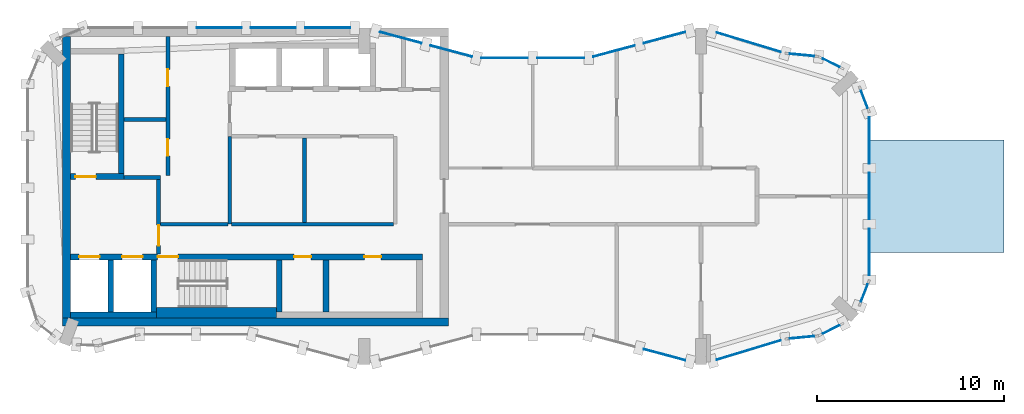
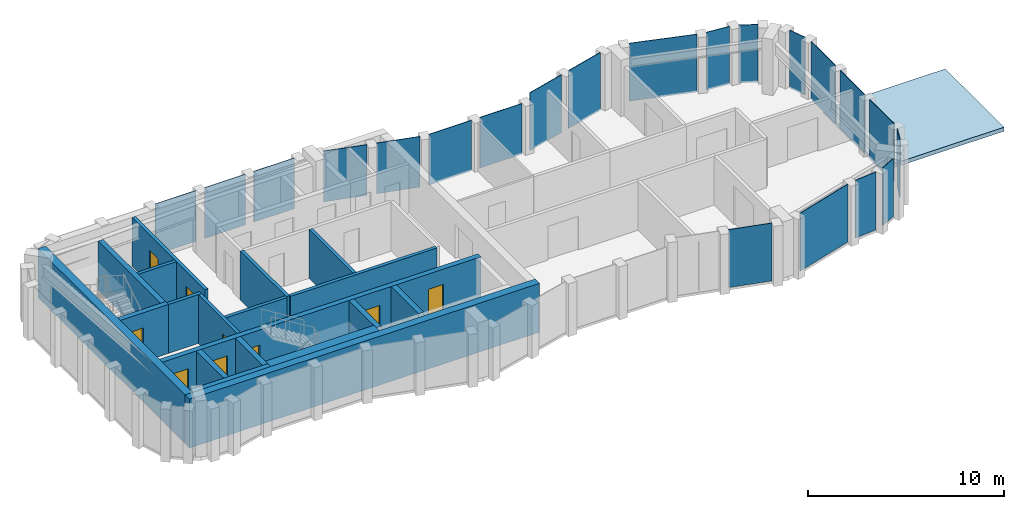
# One storey, part 3 of 6: 21 plates, 19 walls, 9 doors, 1 slab, 9 openings, 14 elements without a shape of their own.
"""IFC4 building model written with IfcOpenShell, lengths in metres."""

from ifc_helpers import new_model, si_unit, direction, frame, frame_2d, origin, origin_2d, place, context, subcontext, project, spatial, polyline, rectangle, outline, extrude, material, layer, layer_set, type_object, element, fill, aggregate, save


model = new_model("IFC4")

# Units and contexts
model_context = context("Model", 3, precision=1e-05, world=origin(), true_north=direction((0.0, 1.0)))
body_context = subcontext(model_context, "Body", "Model", "MODEL_VIEW")
ifc_project = project(units=[si_unit("LENGTHUNIT", "METRE"), si_unit("AREAUNIT", "SQUARE_METRE"), si_unit("VOLUMEUNIT", "CUBIC_METRE"), si_unit("PLANEANGLEUNIT", "RADIAN"), si_unit("MASSUNIT", "GRAM", prefix="KILO")], contexts=[model_context])

# Site, building, storey
site_placement = place(None, origin())
site = spatial("IfcSite", under=ifc_project, at=site_placement, CompositionType="ELEMENT")
building_placement = place(site_placement, origin())
building = spatial("IfcBuilding", under=site, at=building_placement, Name="Plateau Cross Towers", CompositionType="ELEMENT")
storey_placement = place(building_placement, frame((0.0, 0.0, 291.39990234375)))
storey = spatial("IfcBuildingStorey", under=building, at=storey_placement, Name="L77 Crown 1", CompositionType="ELEMENT", Elevation=291.39990234375)

# Curtain wall, plate
ifc_material_1 = material(Name="Dark low-iron glass", Category="glass")
ifc_layer_1 = layer(ifc_material_1, 0.800048828125)
ifc_layer_set_1 = layer_set([ifc_layer_1], Name="Dark low-iron glass")
curtain_wall_type = type_object("IfcCurtainWallType", Name="Curtain wall sky lounge CW-D", PredefinedType="NOTDEFINED", material=ifc_layer_set_1)
curtain_wall_1_placement = place(storey_placement, origin())
curtain_wall_1 = element("IfcCurtainWall", 1, at=curtain_wall_1_placement, inside=storey, type_object=curtain_wall_type, Name="ENV/A/L77 Crown 1/A300_16", PredefinedType="NOTDEFINED")
ifc_layer_2 = layer(ifc_material_1, 0.0400390625)
ifc_layer_set_2 = layer_set([ifc_layer_2], Name="Dark low-iron glass")
plate_type = type_object("IfcPlateType", Name="Glass panel 40 sky lounge", PredefinedType="CURTAIN_PANEL", material=ifc_layer_set_2)
plate_1_placement = place(storey_placement, frame((34.05224609375, 0.521728515625, -0.10986328125), z_axis=(0.0, 0.0, 1.0), x_axis=(0.965957983404, -0.258699003279, 0.0)))
plate_1 = element("IfcPlate", 2, at=plate_1_placement, type_object=plate_type, Name="CW-D panel 2", PredefinedType="CURTAIN_PANEL", context=body_context, shape_type="SweptSolid", body=[
    extrude(rectangle(XDim=2.296875, YDim=0.0400390625, at=origin_2d()), origin(), (0.0, 0.0, 1.0), 3.610107421875),
])
aggregate(curtain_wall_1, [plate_1])

curtain_wall_2_placement = place(storey_placement, origin())
curtain_wall_2 = element("IfcCurtainWall", 3, at=curtain_wall_2_placement, inside=storey, type_object=curtain_wall_type, Name="ENV/A/L77 Crown 1/A366_2", PredefinedType="NOTDEFINED")
plate_2_placement = place(storey_placement, frame((38.552734375, 0.7734375, -0.10986328125), z_axis=(0.0, 0.0, 1.0), x_axis=(0.957048328724, 0.289928433386, 0.0)))
plate_2 = element("IfcPlate", 4, at=plate_2_placement, type_object=plate_type, Name="CW-D panel 1", PredefinedType="CURTAIN_PANEL", context=body_context, shape_type="SweptSolid", body=[
    extrude(rectangle(XDim=3.5693359375, YDim=0.0400390625, at=origin_2d()), origin(), (0.0, 0.0, 1.0), 3.610107421875),
])
aggregate(curtain_wall_2, [plate_2])

curtain_wall_3_placement = place(storey_placement, origin())
curtain_wall_3 = element("IfcCurtainWall", 5, at=curtain_wall_3_placement, inside=storey, type_object=curtain_wall_type, Name="ENV/A/L77 Crown 1/A405_14", PredefinedType="NOTDEFINED")
plate_3_placement = place(storey_placement, frame((41.39501953125, 1.4501953125, -0.10986328125), z_axis=(0.0, 0.0, 1.0), x_axis=(0.995322680406, 0.096606220658, 0.0)))
plate_3 = element("IfcPlate", 6, at=plate_3_placement, type_object=plate_type, Name="CW-D panel 1", PredefinedType="CURTAIN_PANEL", context=body_context, shape_type="SweptSolid", body=[
    extrude(rectangle(XDim=1.29833984375, YDim=0.0400390625, at=origin_2d()), origin(), (0.0, 0.0, 1.0), 3.610107421875),
])
aggregate(curtain_wall_3, [plate_3])

curtain_wall_4_placement = place(storey_placement, origin())
curtain_wall_4 = element("IfcCurtainWall", 7, at=curtain_wall_4_placement, inside=storey, type_object=curtain_wall_type, Name="ENV/A/L77 Crown 1/A423_15", PredefinedType="NOTDEFINED")
plate_4_placement = place(storey_placement, frame((42.956787109375, 1.871826171875, -0.10986328125), z_axis=(0.0, 0.0, 1.0), x_axis=(0.893702121293, 0.448660805505, 0.0)))
plate_4 = element("IfcPlate", 8, at=plate_4_placement, type_object=plate_type, Name="CW-D panel 1", PredefinedType="CURTAIN_PANEL", context=body_context, shape_type="SweptSolid", body=[
    extrude(rectangle(XDim=0.992431640625, YDim=0.0400390625, at=origin_2d()), origin(), (0.0, 0.0, 1.0), 3.610107421875),
])
aggregate(curtain_wall_4, [plate_4])

curtain_wall_5_placement = place(storey_placement, origin())
curtain_wall_5 = element("IfcCurtainWall", 9, at=curtain_wall_5_placement, inside=storey, type_object=curtain_wall_type, Name="ENV/A/L77 Crown 1/A445_31", PredefinedType="NOTDEFINED")
plate_5_placement = place(storey_placement, frame((44.731201171875, 3.82666015625, -0.10986328125), z_axis=(0.0, 0.0, 1.0), x_axis=(0.360225826244, 0.932865131789, 0.0)))
plate_5 = element("IfcPlate", 10, at=plate_5_placement, type_object=plate_type, Name="CW-D panel 1", PredefinedType="CURTAIN_PANEL", context=body_context, shape_type="SweptSolid", body=[
    extrude(rectangle(XDim=0.992431640625, YDim=0.0400390625, at=origin_2d()), origin(), (0.0, 0.0, 1.0), 3.610107421875),
])
aggregate(curtain_wall_5, [plate_5])

# Curtain wall, plates
curtain_wall_6_placement = place(storey_placement, origin())
curtain_wall_6 = element("IfcCurtainWall", 11, at=curtain_wall_6_placement, inside=storey, type_object=curtain_wall_type, Name="ENV/A/L77 Crown 1/A450_45", PredefinedType="NOTDEFINED")
plate_6_placement = place(storey_placement, frame((45.0, 6.015380859375, -0.10986328125), z_axis=(0.0, 0.0, 1.0), x_axis=(0.0, 1.0, 0.0)))
plate_6 = element("IfcPlate", 12, at=plate_6_placement, type_object=plate_type, Name="CW-D panel 1", PredefinedType="CURTAIN_PANEL", context=body_context, shape_type="SweptSolid", body=[
    extrude(rectangle(XDim=2.484619140625, YDim=0.0400390625, at=origin_2d()), origin(), (0.0, 0.0, 1.0), 3.610107421875),
])
plate_7_placement = place(storey_placement, frame((45.0, 9.0, -0.10986328125), z_axis=(0.0, 0.0, 1.0), x_axis=(0.0, 1.0, 0.0)))
plate_7 = element("IfcPlate", 13, at=plate_7_placement, type_object=plate_type, Name="CW-D panel 2", PredefinedType="CURTAIN_PANEL", context=body_context, shape_type="SweptSolid", body=[
    extrude(rectangle(XDim=2.484619140625, YDim=0.0400390625, at=origin_2d()), origin(), (0.0, 0.0, 1.0), 3.610107421875),
])
plate_8_placement = place(storey_placement, frame((45.0, 11.984619140625, -0.10986328125), z_axis=(0.0, 0.0, 1.0), x_axis=(0.0, 1.0, 0.0)))
plate_8 = element("IfcPlate", 14, at=plate_8_placement, type_object=plate_type, Name="CW-D panel 3", PredefinedType="CURTAIN_PANEL", context=body_context, shape_type="SweptSolid", body=[
    extrude(rectangle(XDim=2.484619140625, YDim=0.0400390625, at=origin_2d()), origin(), (0.0, 0.0, 1.0), 3.610107421875),
])
aggregate(curtain_wall_6, [plate_6, plate_7, plate_8])

# Curtain wall, plate
curtain_wall_7_placement = place(storey_placement, origin())
curtain_wall_7 = element("IfcCurtainWall", 15, at=curtain_wall_7_placement, inside=storey, type_object=curtain_wall_type, Name="ENV/A/L77 Crown 1/A450_135", PredefinedType="NOTDEFINED")
plate_9_placement = place(storey_placement, frame((44.731201171875, 14.17333984375, -0.10986328125), z_axis=(0.0, 0.0, 1.0), x_axis=(-0.360225826244, 0.932865131789, 0.0)))
plate_9 = element("IfcPlate", 16, at=plate_9_placement, type_object=plate_type, Name="CW-D panel 1", PredefinedType="CURTAIN_PANEL", context=body_context, shape_type="SweptSolid", body=[
    extrude(rectangle(XDim=0.992431640625, YDim=0.0400390625, at=origin_2d()), origin(), (0.0, 0.0, 1.0), 3.610107421875),
])
aggregate(curtain_wall_7, [plate_9])

curtain_wall_8_placement = place(storey_placement, origin())
curtain_wall_8 = element("IfcCurtainWall", 17, at=curtain_wall_8_placement, inside=storey, type_object=curtain_wall_type, Name="ENV/A/L77 Crown 1/A436_158", PredefinedType="NOTDEFINED")
plate_10_placement = place(storey_placement, frame((42.956787109375, 16.128173828125, -0.10986328125), z_axis=(0.0, 0.0, 1.0), x_axis=(-0.893702121293, 0.448660805505, 0.0)))
plate_10 = element("IfcPlate", 18, at=plate_10_placement, type_object=plate_type, Name="CW-D panel 1", PredefinedType="CURTAIN_PANEL", context=body_context, shape_type="SweptSolid", body=[
    extrude(rectangle(XDim=0.992431640625, YDim=0.0400390625, at=origin_2d()), origin(), (0.0, 0.0, 1.0), 3.610107421875),
])
aggregate(curtain_wall_8, [plate_10])

curtain_wall_9_placement = place(storey_placement, origin())
curtain_wall_9 = element("IfcCurtainWall", 19, at=curtain_wall_9_placement, inside=storey, type_object=curtain_wall_type, Name="ENV/A/L77 Crown 1/A423_165", PredefinedType="NOTDEFINED")
plate_11_placement = place(storey_placement, frame((41.39501953125, 16.5498046875, -0.10986328125), z_axis=(0.0, 0.0, 1.0), x_axis=(-0.995322680406, 0.096606220658, 0.0)))
plate_11 = element("IfcPlate", 20, at=plate_11_placement, type_object=plate_type, Name="CW-D panel 1", PredefinedType="CURTAIN_PANEL", context=body_context, shape_type="SweptSolid", body=[
    extrude(rectangle(XDim=1.29833984375, YDim=0.0400390625, at=origin_2d()), origin(), (0.0, 0.0, 1.0), 3.610107421875),
])
aggregate(curtain_wall_9, [plate_11])

curtain_wall_10_placement = place(storey_placement, origin())
curtain_wall_10 = element("IfcCurtainWall", 21, at=curtain_wall_10_placement, inside=storey, type_object=curtain_wall_type, Name="ENV/A/L77 Crown 1/A405_166", PredefinedType="NOTDEFINED")
plate_12_placement = place(storey_placement, frame((38.552734375, 17.2265625, -0.10986328125), z_axis=(0.0, 0.0, 1.0), x_axis=(-0.957048328724, 0.289928433386, 0.0)))
plate_12 = element("IfcPlate", 22, at=plate_12_placement, type_object=plate_type, Name="CW-D panel 1", PredefinedType="CURTAIN_PANEL", context=body_context, shape_type="SweptSolid", body=[
    extrude(rectangle(XDim=3.5693359375, YDim=0.0400390625, at=origin_2d()), origin(), (0.0, 0.0, 1.0), 3.610107421875),
])
aggregate(curtain_wall_10, [plate_12])

# Curtain wall, plates
curtain_wall_11_placement = place(storey_placement, origin())
curtain_wall_11 = element("IfcCurtainWall", 23, at=curtain_wall_11_placement, inside=storey, type_object=curtain_wall_type, Name="ENV/A/L77 Crown 1/A354_178", PredefinedType="NOTDEFINED")
plate_13_placement = place(storey_placement, frame((34.05224609375, 17.478271484375, -0.10986328125), z_axis=(0.0, 0.0, 1.0), x_axis=(-0.965957983404, -0.258699003279, 0.0)))
plate_13 = element("IfcPlate", 24, at=plate_13_placement, type_object=plate_type, Name="CW-D panel 1", PredefinedType="CURTAIN_PANEL", context=body_context, shape_type="SweptSolid", body=[
    extrude(rectangle(XDim=2.296875, YDim=0.0400390625, at=origin_2d()), origin(), (0.0, 0.0, 1.0), 3.610107421875),
])
plate_14_placement = place(storey_placement, frame((31.350830078125, 16.7548828125, -0.10986328125), z_axis=(0.0, 0.0, 1.0), x_axis=(-0.965957983404, -0.258699003279, 0.0)))
plate_14 = element("IfcPlate", 25, at=plate_14_placement, type_object=plate_type, Name="CW-D panel 2", PredefinedType="CURTAIN_PANEL", context=body_context, shape_type="SweptSolid", body=[
    extrude(rectangle(XDim=2.296875, YDim=0.0400390625, at=origin_2d()), origin(), (0.0, 0.0, 1.0), 3.610107421875),
])
aggregate(curtain_wall_11, [plate_13, plate_14])

curtain_wall_12_placement = place(storey_placement, origin())
curtain_wall_12 = element("IfcCurtainWall", 26, at=curtain_wall_12_placement, inside=storey, type_object=curtain_wall_type, Name="ENV/A/L77 Crown 1/A300_164", PredefinedType="NOTDEFINED")
plate_15_placement = place(storey_placement, frame((28.5, 16.39306640625, -0.10986328125), z_axis=(0.0, 0.0, 1.0), x_axis=(-1.0, 0.0, 0.0)))
plate_15 = element("IfcPlate", 27, at=plate_15_placement, type_object=plate_type, Name="CW-D panel 1", PredefinedType="CURTAIN_PANEL", context=body_context, shape_type="SweptSolid", body=[
    extrude(rectangle(XDim=2.5, YDim=0.0400390625, at=origin_2d()), origin(), (0.0, 0.0, 1.0), 3.159912109375),
])
plate_16_placement = place(storey_placement, frame((25.5, 16.39306640625, -0.10986328125), z_axis=(0.0, 0.0, 1.0), x_axis=(-1.0, 0.0, 0.0)))
plate_16 = element("IfcPlate", 28, at=plate_16_placement, type_object=plate_type, Name="CW-D panel 2", PredefinedType="CURTAIN_PANEL", context=body_context, shape_type="SweptSolid", body=[
    extrude(rectangle(XDim=2.5, YDim=0.0400390625, at=origin_2d()), origin(), (0.0, 0.0, 1.0), 3.159912109375),
])
aggregate(curtain_wall_12, [plate_15, plate_16])

curtain_wall_13_placement = place(storey_placement, origin())
curtain_wall_13 = element("IfcCurtainWall", 29, at=curtain_wall_13_placement, inside=storey, type_object=curtain_wall_type, Name="ENV/A/L77 Crown 1/A240_164", PredefinedType="NOTDEFINED")
plate_17_placement = place(storey_placement, frame((22.649169921875, 16.7548828125, -0.10986328125), z_axis=(0.0, 0.0, 1.0), x_axis=(-0.965957983404, 0.258699003279, 0.0)))
plate_17 = element("IfcPlate", 30, at=plate_17_placement, type_object=plate_type, Name="CW-D panel 1", PredefinedType="CURTAIN_PANEL", context=body_context, shape_type="SweptSolid", body=[
    extrude(rectangle(XDim=2.296875, YDim=0.0400390625, at=origin_2d()), origin(), (0.0, 0.0, 1.0), 3.159912109375),
])
plate_18_placement = place(storey_placement, frame((19.94775390625, 17.478271484375, -0.10986328125), z_axis=(0.0, 0.0, 1.0), x_axis=(-0.965957983404, 0.258699003279, 0.0)))
plate_18 = element("IfcPlate", 31, at=plate_18_placement, type_object=plate_type, Name="CW-D panel 2", PredefinedType="CURTAIN_PANEL", context=body_context, shape_type="SweptSolid", body=[
    extrude(rectangle(XDim=2.296875, YDim=0.0400390625, at=origin_2d()), origin(), (0.0, 0.0, 1.0), 3.159912109375),
])
aggregate(curtain_wall_13, [plate_17, plate_18])

curtain_wall_14_placement = place(storey_placement, origin())
curtain_wall_14 = element("IfcCurtainWall", 32, at=curtain_wall_14_placement, inside=storey, type_object=curtain_wall_type, Name="ENV/A/L77 Crown 1/A175_180", PredefinedType="NOTDEFINED")
plate_19_placement = place(storey_placement, frame((16.03662109375, 18.0, -0.10986328125), z_axis=(0.0, 0.0, 1.0), x_axis=(-1.0, 0.0, 0.0)))
plate_19 = element("IfcPlate", 33, at=plate_19_placement, type_object=plate_type, Name="CW-D panel 1", PredefinedType="CURTAIN_PANEL", context=body_context, shape_type="SweptSolid", body=[
    extrude(rectangle(XDim=2.39697265625, YDim=0.0400390625, at=origin_2d()), origin(), (0.0, 0.0, 1.0), 3.159912109375),
])
plate_20_placement = place(storey_placement, frame((13.139404296875, 18.0, -0.10986328125), z_axis=(0.0, 0.0, 1.0), x_axis=(-1.0, 0.0, 0.0)))
plate_20 = element("IfcPlate", 34, at=plate_20_placement, type_object=plate_type, Name="CW-D panel 2", PredefinedType="CURTAIN_PANEL", context=body_context, shape_type="SweptSolid", body=[
    extrude(rectangle(XDim=2.39697265625, YDim=0.0400390625, at=origin_2d()), origin(), (0.0, 0.0, 1.0), 3.159912109375),
])
plate_21_placement = place(storey_placement, frame((10.242431640625, 18.0, -0.10986328125), z_axis=(0.0, 0.0, 1.0), x_axis=(-1.0, 0.0, 0.0)))
plate_21 = element("IfcPlate", 35, at=plate_21_placement, type_object=plate_type, Name="CW-D panel 3", PredefinedType="CURTAIN_PANEL", context=body_context, shape_type="SweptSolid", body=[
    extrude(rectangle(XDim=2.39697265625, YDim=0.0400390625, at=origin_2d()), origin(), (0.0, 0.0, 1.0), 3.159912109375),
])
aggregate(curtain_wall_14, [plate_19, plate_20, plate_21])

# Slab
ifc_material_2 = material(Name="Concrete C40/50", Category="concrete")
ifc_layer_3 = layer(ifc_material_2, 0.25)
ifc_layer_set_3 = layer_set([ifc_layer_3], Name="Concrete C40/50")
slab_type = type_object("IfcSlabType", Name="Post-tensioned roof slab 250", PredefinedType="ROOF", material=ifc_layer_set_3)
slab_placement = place(storey_placement, frame((0.0, 0.0, -0.25)))
element("IfcSlab", 36, at=slab_placement, inside=storey, type_object=slab_type, Name="SL-A-end-E-roof", PredefinedType="ROOF", context=body_context, shape_type="SweptSolid", body=[
    extrude(outline(polyline([(52.199951171875, 6.0), (45.0, 6.0), (45.0, 12.0), (52.199951171875, 12.0), (52.199951171875, 6.0)])), origin(), (0.0, 0.0, 1.0), 0.25),
])

# Wall, opening, door
ifc_material_3 = material(Name="Concrete block, plastered both sides", Category="concrete")
ifc_layer_4 = layer(ifc_material_3, 0.199951171875)
ifc_layer_set_4 = layer_set([ifc_layer_4], Name="Concrete block, plastered both sides")
wall_type_1 = type_object("IfcWallType", Name="Core partition 200", PredefinedType="PARTITIONING", material=ifc_layer_set_4)
wall_1_placement = place(storey_placement, frame((7.0, 5.89990234375, 0.0), z_axis=(0.0, 0.0, 1.0), x_axis=(0.0, 1.0, 0.0)))
wall_1 = element("IfcWall", 37, at=wall_1_placement, inside=storey, type_object=wall_type_1, Name="Core partition", PredefinedType="PARTITIONING", context=body_context, shape_type="SweptSolid", body=[
    extrude(rectangle(XDim=4.0, YDim=0.199951171875, at=frame_2d((2.0, 0.0))), origin(), (0.0, 0.0, 1.0), 3.050048828125),
])
opening_1_placement = place(wall_1_placement, frame((0.449951171875, 0.0, 0.0)))
opening_1 = element("IfcOpeningElement", 38, at=opening_1_placement, cuts=wall_1, Name="Opening FFD", PredefinedType="OPENING", context=body_context, shape_type="SweptSolid", body=[
    extrude(rectangle(XDim=1.10009765625, YDim=2.10009765625, at=frame_2d((0.550048828125, 1.050048828125))), frame((0.0, 0.10986328125, 0.0), z_axis=(0.0, -1.0, 0.0), x_axis=(1.0, 0.0, 0.0)), (0.0, 0.0, 1.0), 0.219970703125),
])
ifc_material_4 = material(Name="Steel, fire-resisting leaf", Category="steel")
door_type_1 = type_object("IfcDoorType", Name="Firefighting lobby door 1100", OperationType="NOTDEFINED", PredefinedType="DOOR", material=ifc_material_4)
door_1_placement = place(opening_1_placement, origin())
door_1 = element("IfcDoor", 39, at=door_1_placement, inside=storey, type_object=door_type_1, Name="Firefighting lobby door FFD", OperationType="SINGLE_SWING_LEFT", OverallHeight=2.10009765625, OverallWidth=1.10009765625, PredefinedType="DOOR", context=body_context, shape_type="SweptSolid", body=[
    extrude(rectangle(XDim=1.10009765625, YDim=2.10009765625, at=frame_2d((0.550048828125, 1.050048828125))), frame((0.0, 0.02490234375, 0.0), z_axis=(0.0, -1.0, 0.0), x_axis=(1.0, 0.0, 0.0)), (0.0, 0.0, 1.0), 0.050048828125),
])
fill(opening_1, door_1)

# Walls
wall_2_placement = place(storey_placement, frame((5.14990234375, 10.0, 0.0), z_axis=(0.0, 0.0, 1.0), x_axis=(1.0, 0.0, 0.0)))
element("IfcWall", 40, at=wall_2_placement, inside=storey, type_object=wall_type_1, Name="Core partition", PredefinedType="PARTITIONING", context=body_context, shape_type="SweptSolid", body=[
    extrude(rectangle(XDim=1.9501953125, YDim=0.199951171875, at=frame_2d((0.97509765625, 0.0))), origin(), (0.0, 0.0, 1.0), 3.050048828125),
])
wall_3_placement = place(storey_placement, frame((7.10009765625, 7.5, 0.0), z_axis=(0.0, 0.0, 1.0), x_axis=(1.0, 0.0, 0.0)))
element("IfcWall", 41, at=wall_3_placement, inside=storey, type_object=wall_type_1, Name="Core partition", PredefinedType="PARTITIONING", context=body_context, shape_type="SweptSolid", body=[
    extrude(rectangle(XDim=3.599853515625, YDim=0.199951171875, at=frame_2d((1.7998046875, 0.0))), origin(), (0.0, 0.0, 1.0), 3.050048828125),
])
wall_4_placement = place(storey_placement, frame((10.800048828125, 7.5, 0.0), z_axis=(0.0, 0.0, 1.0), x_axis=(0.0, 1.0, 0.0)))
element("IfcWall", 42, at=wall_4_placement, inside=storey, type_object=wall_type_1, Name="Core partition", PredefinedType="PARTITIONING", context=body_context, shape_type="SweptSolid", body=[
    extrude(rectangle(XDim=4.699951171875, YDim=0.199951171875, at=frame_2d((2.35009765625, 0.0))), origin(), (0.0, 0.0, 1.0), 3.050048828125),
])
wall_5_placement = place(storey_placement, frame((10.89990234375, 7.5, 0.0), z_axis=(0.0, 0.0, 1.0), x_axis=(1.0, 0.0, 0.0)))
element("IfcWall", 43, at=wall_5_placement, inside=storey, type_object=wall_type_1, Name="Core partition", PredefinedType="PARTITIONING", context=body_context, shape_type="SweptSolid", body=[
    extrude(rectangle(XDim=8.650146484375, YDim=0.199951171875, at=frame_2d((4.3251953125, 0.0))), origin(), (0.0, 0.0, 1.0), 3.050048828125),
])
wall_6_placement = place(storey_placement, frame((14.800048828125, 7.60009765625, 0.0), z_axis=(0.0, 0.0, 1.0), x_axis=(0.0, 1.0, 0.0)))
element("IfcWall", 44, at=wall_6_placement, inside=storey, type_object=wall_type_1, Name="Core partition", PredefinedType="PARTITIONING", context=body_context, shape_type="SweptSolid", body=[
    extrude(rectangle(XDim=4.5, YDim=0.199951171875, at=frame_2d((2.25, 0.0))), origin(), (0.0, 0.0, 1.0), 3.050048828125),
])

# Wall, openings, doors
wall_7_placement = place(storey_placement, frame((7.5, 10.10009765625, 0.0), z_axis=(0.0, 0.0, 1.0), x_axis=(0.0, 1.0, 0.0)))
wall_7 = element("IfcWall", 45, at=wall_7_placement, inside=storey, type_object=wall_type_1, Name="Core partition", PredefinedType="PARTITIONING", context=body_context, shape_type="SweptSolid", body=[
    extrude(rectangle(XDim=7.449951171875, YDim=0.199951171875, at=frame_2d((3.72509765625, 0.0))), origin(), (0.0, 0.0, 1.0), 3.050048828125),
])
opening_2_placement = place(wall_7_placement, frame((1.050048828125, 0.0, 0.0)))
opening_2 = element("IfcOpeningElement", 46, at=opening_2_placement, cuts=wall_7, Name="Opening RD1", PredefinedType="OPENING", context=body_context, shape_type="SweptSolid", body=[
    extrude(rectangle(XDim=0.89990234375, YDim=2.10009765625, at=frame_2d((0.449951171875, 1.050048828125))), frame((0.0, 0.10986328125, 0.0), z_axis=(0.0, -1.0, 0.0), x_axis=(1.0, 0.0, 0.0)), (0.0, 0.0, 1.0), 0.219970703125),
])
opening_3_placement = place(wall_7_placement, frame((4.77490234375, 0.0, 0.0)))
opening_3 = element("IfcOpeningElement", 47, at=opening_3_placement, cuts=wall_7, Name="Opening RD1", PredefinedType="OPENING", context=body_context, shape_type="SweptSolid", body=[
    extrude(rectangle(XDim=0.89990234375, YDim=2.10009765625, at=frame_2d((0.449951171875, 1.050048828125))), frame((0.0, 0.10986328125, 0.0), z_axis=(0.0, -1.0, 0.0), x_axis=(1.0, 0.0, 0.0)), (0.0, 0.0, 1.0), 0.219970703125),
])
ifc_material_5 = material(Name="Timber, fire-resisting leaf", Category="wood")
door_type_2 = type_object("IfcDoorType", Name="Core service door 900", OperationType="NOTDEFINED", PredefinedType="DOOR", material=ifc_material_5)
door_2_placement = place(opening_2_placement, origin())
door_2 = element("IfcDoor", 48, at=door_2_placement, inside=storey, type_object=door_type_2, Name="Core service door RD1", OperationType="SINGLE_SWING_RIGHT", OverallHeight=2.10009765625, OverallWidth=0.89990234375, PredefinedType="DOOR", context=body_context, shape_type="SweptSolid", body=[
    extrude(rectangle(XDim=0.89990234375, YDim=2.10009765625, at=frame_2d((0.449951171875, 1.050048828125))), frame((0.0, 0.02490234375, 0.0), z_axis=(0.0, -1.0, 0.0), x_axis=(1.0, 0.0, 0.0)), (0.0, 0.0, 1.0), 0.050048828125),
])
fill(opening_2, door_2)
door_3_placement = place(opening_3_placement, origin())
door_3 = element("IfcDoor", 49, at=door_3_placement, inside=storey, type_object=door_type_2, Name="Core service door RD1", OperationType="SINGLE_SWING_RIGHT", OverallHeight=2.10009765625, OverallWidth=0.89990234375, PredefinedType="DOOR", context=body_context, shape_type="SweptSolid", body=[
    extrude(rectangle(XDim=0.89990234375, YDim=2.10009765625, at=frame_2d((0.449951171875, 1.050048828125))), frame((0.0, 0.02490234375, 0.0), z_axis=(0.0, -1.0, 0.0), x_axis=(1.0, 0.0, 0.0)), (0.0, 0.0, 1.0), 0.050048828125),
])
fill(opening_3, door_3)

# Walls
wall_8_placement = place(storey_placement, frame((5.14990234375, 13.10009765625, 0.0), z_axis=(0.0, 0.0, 1.0), x_axis=(1.0, 0.0, 0.0)))
element("IfcWall", 50, at=wall_8_placement, inside=storey, type_object=wall_type_1, Name="Core partition", PredefinedType="PARTITIONING", context=body_context, shape_type="SweptSolid", body=[
    extrude(rectangle(XDim=2.25, YDim=0.199951171875, at=frame_2d((1.125, 0.0))), origin(), (0.0, 0.0, 1.0), 3.050048828125),
])
ifc_material_6 = material(Name="Concrete C60/75", Category="concrete")
ifc_layer_5 = layer(ifc_material_6, 0.300048828125)
ifc_layer_set_5 = layer_set([ifc_layer_5], Name="Concrete C60/75")
wall_type_2 = type_object("IfcWallType", Name="Core shaft wall 300", PredefinedType="SHEAR", material=ifc_layer_set_5)
wall_9_placement = place(storey_placement, frame((2.300048828125, 2.64990234375, 0.0), z_axis=(0.0, 0.0, 1.0), x_axis=(1.0, 0.0, 0.0)))
element("IfcWall", 51, at=wall_9_placement, inside=storey, type_object=wall_type_2, Name="A-sb-back1@L77 Crown 1", PredefinedType="SHEAR", context=body_context, shape_type="SweptSolid", body=[
    extrude(rectangle(XDim=4.599853515625, YDim=0.300048828125, at=frame_2d((2.2998046875, 0.0))), origin(), (0.0, 0.0, 1.0), 3.050048828125),
])
for number, where, z_axis, x_axis, name in (
    (52, (4.449951171875, 2.800048828125, 0.0), (0.0, 0.0, 1.0), (0.0, 1.0, 0.0), "A-sb-v1@L77 Crown 1"),
    (53, (6.75, 2.800048828125, 0.0), (0.0, 0.0, 1.0), (0.0, 1.0, 0.0), "A-sb-v2@L77 Crown 1"),
    (54, (13.449951171875, 2.800048828125, 0.0), (0.0, 0.0, 1.0), (0.0, 1.0, 0.0), "A-sb-v3@L77 Crown 1"),
    (55, (15.949951171875, 2.800048828125, 0.0), (0.0, 0.0, 1.0), (0.0, 1.0, 0.0), "A-sb-v4@L77 Crown 1"),
):
    element("IfcWall", number, at=place(storey_placement, frame(where, z_axis=z_axis, x_axis=x_axis)), inside=storey, type_object=wall_type_2, Name=name, PredefinedType="SHEAR", context=body_context, shape_type="SweptSolid", body=[
        extrude(rectangle(XDim=2.800048828125, YDim=0.300048828125, at=frame_2d((1.39990234375, 0.0))), origin(), (0.0, 0.0, 1.0), 3.050048828125),
    ])

# Wall, openings, doors
wall_10_placement = place(storey_placement, frame((2.300048828125, 5.75, 0.0), z_axis=(0.0, 0.0, 1.0), x_axis=(1.0, 0.0, 0.0)))
wall_10 = element("IfcWall", 56, at=wall_10_placement, inside=storey, type_object=wall_type_2, Name="A-sb-front@L77 Crown 1", PredefinedType="SHEAR", context=body_context, shape_type="SweptSolid", body=[
    extrude(rectangle(XDim=18.800048828125, YDim=0.300048828125, at=frame_2d((9.39990234375, 0.0))), origin(), (0.0, 0.0, 1.0), 3.050048828125),
])
opening_4_placement = place(wall_10_placement, frame((4.64990234375, 0.0, 0.0)))
opening_4 = element("IfcOpeningElement", 57, at=opening_4_placement, cuts=wall_10, Name="Opening SD", PredefinedType="OPENING", context=body_context, shape_type="SweptSolid", body=[
    extrude(rectangle(XDim=1.10009765625, YDim=2.10009765625, at=frame_2d((0.550048828125, 1.050048828125))), frame((0.0, 0.159912109375, 0.0), z_axis=(0.0, -1.0, 0.0), x_axis=(1.0, 0.0, 0.0)), (0.0, 0.0, 1.0), 0.320068359375),
])
opening_5_placement = place(wall_10_placement, frame((0.449951171875, 0.0, 0.0)))
opening_5 = element("IfcOpeningElement", 58, at=opening_5_placement, cuts=wall_10, Name="Opening LD", PredefinedType="OPENING", context=body_context, shape_type="SweptSolid", body=[
    extrude(rectangle(XDim=1.10009765625, YDim=2.10009765625, at=frame_2d((0.550048828125, 1.050048828125))), frame((0.0, 0.159912109375, 0.0), z_axis=(0.0, -1.0, 0.0), x_axis=(1.0, 0.0, 0.0)), (0.0, 0.0, 1.0), 0.320068359375),
])
opening_6_placement = place(wall_10_placement, frame((2.75, 0.0, 0.0)))
opening_6 = element("IfcOpeningElement", 59, at=opening_6_placement, cuts=wall_10, Name="Opening LD", PredefinedType="OPENING", context=body_context, shape_type="SweptSolid", body=[
    extrude(rectangle(XDim=1.10009765625, YDim=2.10009765625, at=frame_2d((0.550048828125, 1.050048828125))), frame((0.0, 0.159912109375, 0.0), z_axis=(0.0, -1.0, 0.0), x_axis=(1.0, 0.0, 0.0)), (0.0, 0.0, 1.0), 0.320068359375),
])
opening_7_placement = place(wall_10_placement, frame((11.949951171875, 0.0, 0.0)))
opening_7 = element("IfcOpeningElement", 60, at=opening_7_placement, cuts=wall_10, Name="Opening RD2", PredefinedType="OPENING", context=body_context, shape_type="SweptSolid", body=[
    extrude(rectangle(XDim=0.89990234375, YDim=2.10009765625, at=frame_2d((0.449951171875, 1.050048828125))), frame((0.0, 0.159912109375, 0.0), z_axis=(0.0, -1.0, 0.0), x_axis=(1.0, 0.0, 0.0)), (0.0, 0.0, 1.0), 0.320068359375),
])
opening_8_placement = place(wall_10_placement, frame((15.699951171875, 0.0, 0.0)))
opening_8 = element("IfcOpeningElement", 61, at=opening_8_placement, cuts=wall_10, Name="Opening RD2", PredefinedType="OPENING", context=body_context, shape_type="SweptSolid", body=[
    extrude(rectangle(XDim=0.89990234375, YDim=2.10009765625, at=frame_2d((0.449951171875, 1.050048828125))), frame((0.0, 0.159912109375, 0.0), z_axis=(0.0, -1.0, 0.0), x_axis=(1.0, 0.0, 0.0)), (0.0, 0.0, 1.0), 0.320068359375),
])
door_type_3 = type_object("IfcDoorType", Name="Core riser door 900", OperationType="NOTDEFINED", PredefinedType="DOOR", material=ifc_material_4)
door_4_placement = place(opening_7_placement, origin())
door_4 = element("IfcDoor", 62, at=door_4_placement, inside=storey, type_object=door_type_3, Name="Core riser door RD2", OperationType="SINGLE_SWING_LEFT", OverallHeight=2.10009765625, OverallWidth=0.89990234375, PredefinedType="DOOR", context=body_context, shape_type="SweptSolid", body=[
    extrude(rectangle(XDim=0.89990234375, YDim=2.10009765625, at=frame_2d((0.449951171875, 1.050048828125))), frame((0.0, 0.02490234375, 0.0), z_axis=(0.0, -1.0, 0.0), x_axis=(1.0, 0.0, 0.0)), (0.0, 0.0, 1.0), 0.050048828125),
])
fill(opening_7, door_4)
door_5_placement = place(opening_8_placement, origin())
door_5 = element("IfcDoor", 63, at=door_5_placement, inside=storey, type_object=door_type_3, Name="Core riser door RD2", OperationType="SINGLE_SWING_LEFT", OverallHeight=2.10009765625, OverallWidth=0.89990234375, PredefinedType="DOOR", context=body_context, shape_type="SweptSolid", body=[
    extrude(rectangle(XDim=0.89990234375, YDim=2.10009765625, at=frame_2d((0.449951171875, 1.050048828125))), frame((0.0, 0.02490234375, 0.0), z_axis=(0.0, -1.0, 0.0), x_axis=(1.0, 0.0, 0.0)), (0.0, 0.0, 1.0), 0.050048828125),
])
fill(opening_8, door_5)
ifc_material_7 = material(Name="Stainless steel, fire-resisting sliding leaves", Category="steel")
door_type_4 = type_object("IfcDoorType", Name="Lift landing door 1100", OperationType="NOTDEFINED", PredefinedType="DOOR", material=ifc_material_7)
door_6_placement = place(opening_5_placement, origin())
door_6 = element("IfcDoor", 64, at=door_6_placement, inside=storey, type_object=door_type_4, Name="Lift landing door LD", OperationType="DOUBLE_DOOR_SLIDING", OverallHeight=2.10009765625, OverallWidth=1.10009765625, PredefinedType="DOOR", context=body_context, shape_type="SweptSolid", body=[
    extrude(rectangle(XDim=1.10009765625, YDim=2.10009765625, at=frame_2d((0.550048828125, 1.050048828125))), frame((0.0, 0.02490234375, 0.0), z_axis=(0.0, -1.0, 0.0), x_axis=(1.0, 0.0, 0.0)), (0.0, 0.0, 1.0), 0.050048828125),
])
fill(opening_5, door_6)
door_7_placement = place(opening_6_placement, origin())
door_7 = element("IfcDoor", 65, at=door_7_placement, inside=storey, type_object=door_type_4, Name="Lift landing door LD", OperationType="DOUBLE_DOOR_SLIDING", OverallHeight=2.10009765625, OverallWidth=1.10009765625, PredefinedType="DOOR", context=body_context, shape_type="SweptSolid", body=[
    extrude(rectangle(XDim=1.10009765625, YDim=2.10009765625, at=frame_2d((0.550048828125, 1.050048828125))), frame((0.0, 0.02490234375, 0.0), z_axis=(0.0, -1.0, 0.0), x_axis=(1.0, 0.0, 0.0)), (0.0, 0.0, 1.0), 0.050048828125),
])
fill(opening_6, door_7)
door_type_5 = type_object("IfcDoorType", Name="Stair door 1100", OperationType="NOTDEFINED", PredefinedType="DOOR", material=ifc_material_4)
door_8_placement = place(opening_4_placement, origin())
door_8 = element("IfcDoor", 66, at=door_8_placement, inside=storey, type_object=door_type_5, Name="Stair door SD", OperationType="SINGLE_SWING_LEFT", OverallHeight=2.10009765625, OverallWidth=1.10009765625, PredefinedType="DOOR", context=body_context, shape_type="SweptSolid", body=[
    extrude(rectangle(XDim=1.10009765625, YDim=2.10009765625, at=frame_2d((0.550048828125, 1.050048828125))), frame((0.0, 0.02490234375, 0.0), z_axis=(0.0, -1.0, 0.0), x_axis=(1.0, 0.0, 0.0)), (0.0, 0.0, 1.0), 0.050048828125),
])
fill(opening_4, door_8)

# Wall, opening, door
wall_11_placement = place(storey_placement, frame((2.300048828125, 10.050048828125, 0.0), z_axis=(0.0, 0.0, 1.0), x_axis=(1.0, 0.0, 0.0)))
wall_11 = element("IfcWall", 67, at=wall_11_placement, inside=storey, type_object=wall_type_2, Name="A-st1-S@L77 Crown 1", PredefinedType="SHEAR", context=body_context, shape_type="SweptSolid", body=[
    extrude(rectangle(XDim=2.849853515625, YDim=0.300048828125, at=frame_2d((1.4248046875, 0.0))), origin(), (0.0, 0.0, 1.0), 3.050048828125),
])
opening_9_placement = place(wall_11_placement, frame((0.25, 0.0, 0.0)))
opening_9 = element("IfcOpeningElement", 68, at=opening_9_placement, cuts=wall_11, Name="Opening SD", PredefinedType="OPENING", context=body_context, shape_type="SweptSolid", body=[
    extrude(rectangle(XDim=1.10009765625, YDim=2.10009765625, at=frame_2d((0.550048828125, 1.050048828125))), frame((0.0, 0.159912109375, 0.0), z_axis=(0.0, -1.0, 0.0), x_axis=(1.0, 0.0, 0.0)), (0.0, 0.0, 1.0), 0.320068359375),
])
door_9_placement = place(opening_9_placement, origin())
door_9 = element("IfcDoor", 69, at=door_9_placement, inside=storey, type_object=door_type_5, Name="Stair door SD", OperationType="SINGLE_SWING_RIGHT", OverallHeight=2.10009765625, OverallWidth=1.10009765625, PredefinedType="DOOR", context=body_context, shape_type="SweptSolid", body=[
    extrude(rectangle(XDim=1.10009765625, YDim=2.10009765625, at=frame_2d((0.550048828125, 1.050048828125))), frame((0.0, 0.02490234375, 0.0), z_axis=(0.0, -1.0, 0.0), x_axis=(1.0, 0.0, 0.0)), (0.0, 0.0, 1.0), 0.050048828125),
])
fill(opening_9, door_9)

# Walls
wall_12_placement = place(storey_placement, frame((5.0, 10.199951171875, 0.0), z_axis=(0.0, 0.0, 1.0), x_axis=(0.0, 1.0, 0.0)))
element("IfcWall", 70, at=wall_12_placement, inside=storey, type_object=wall_type_2, Name="A-st1-E@L77 Crown 1", PredefinedType="SHEAR", context=body_context, shape_type="SweptSolid", body=[
    extrude(rectangle(XDim=6.400146484375, YDim=0.300048828125, at=frame_2d((3.2001953125, 0.0))), origin(), (0.0, 0.0, 1.0), 3.050048828125),
])
ifc_layer_6 = layer(ifc_material_6, 0.550048828125)
ifc_layer_set_6 = layer_set([ifc_layer_6], Name="Concrete C60/75")
wall_type_3 = type_object("IfcWallType", Name="Core shaft wall 550", PredefinedType="SHEAR", material=ifc_layer_set_6)
wall_13_placement = place(storey_placement, frame((6.89990234375, 2.77490234375, 0.0), z_axis=(0.0, 0.0, 1.0), x_axis=(1.0, 0.0, 0.0)))
element("IfcWall", 71, at=wall_13_placement, inside=storey, type_object=wall_type_3, Name="A-sb-back2@L77 Crown 1", PredefinedType="SHEAR", context=body_context, shape_type="SweptSolid", body=[
    extrude(rectangle(XDim=6.400146484375, YDim=0.550048828125, at=frame_2d((3.2001953125, 0.0))), origin(), (0.0, 0.0, 1.0), 3.050048828125),
])
ifc_layer_7 = layer(ifc_material_6, 0.449951171875)
ifc_layer_set_7 = layer_set([ifc_layer_7], Name="Concrete C60/75")
wall_type_4 = type_object("IfcWallType", Name="Core shell wall 450", PredefinedType="SHEAR", material=ifc_layer_set_7)
wall_14_placement = place(storey_placement, frame((1.85009765625, 2.27490234375, 0.0), z_axis=(0.0, 0.0, 1.0), x_axis=(1.0, 0.0, 0.0)))
element("IfcWall", 72, at=wall_14_placement, inside=storey, type_object=wall_type_4, Name="A-core-S@L77 Crown 1", PredefinedType="SHEAR", context=body_context, shape_type="SweptSolid", body=[
    extrude(rectangle(XDim=20.64990234375, YDim=0.449951171875, at=frame_2d((10.324951171875, 0.0))), origin(), (0.0, 0.0, 1.0), 3.050048828125),
])
wall_15_placement = place(storey_placement, frame((2.074951171875, 2.5, 0.0), z_axis=(0.0, 0.0, 1.0), x_axis=(0.0, 1.0, 0.0)))
element("IfcWall", 73, at=wall_15_placement, inside=storey, type_object=wall_type_4, Name="A-core-W@L77 Crown 1", PredefinedType="SHEAR", context=body_context, shape_type="SweptSolid", body=[
    extrude(rectangle(XDim=15.050048828125, YDim=0.449951171875, at=frame_2d((7.52490234375, 0.0))), origin(), (0.0, 0.0, 1.0), 3.050048828125),
])

save(model, "model.ifc")
